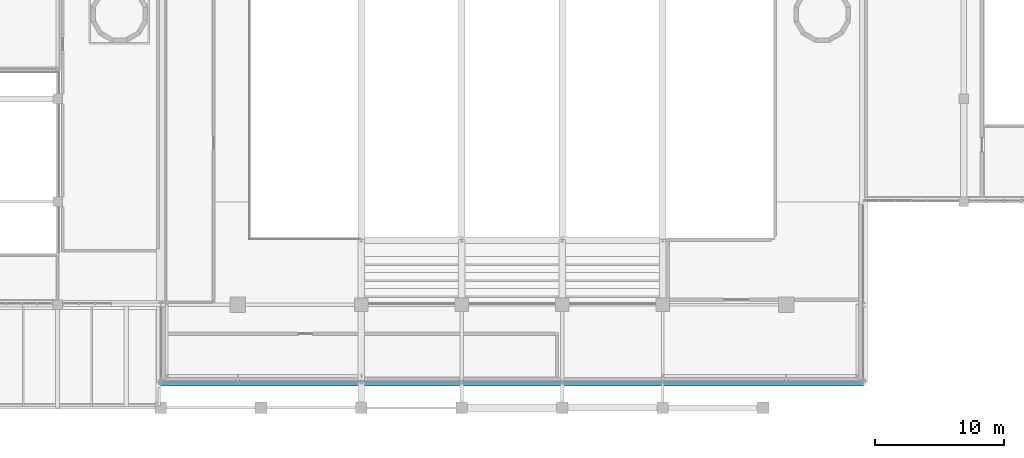
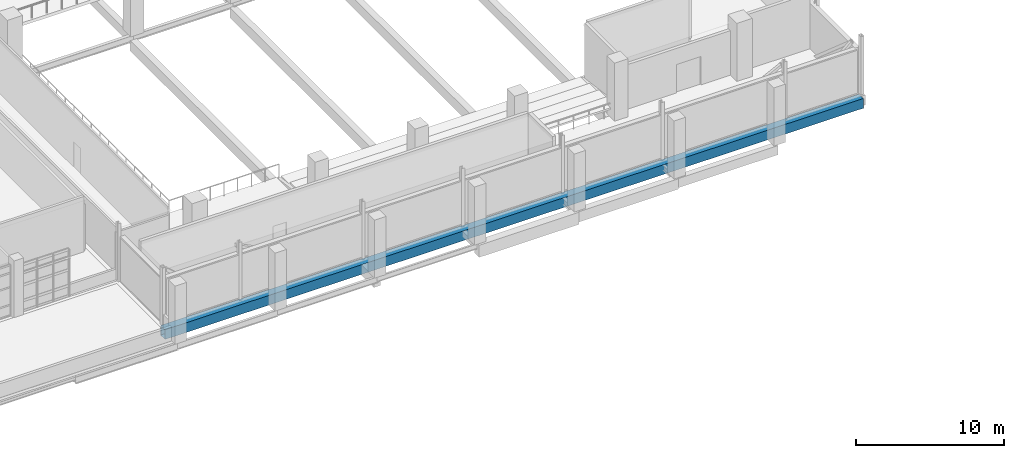
# One storey, part 36 of 102: 1 beam.
"""IFC4 building model written with IfcOpenShell, lengths in metres."""

from ifc_helpers import new_model, si_unit, derived_unit, direction, frame, origin, origin_2d, place, context, subcontext, project, spatial, hollow_rectangle, extrude, material, material_profile, profile_set, type_object, element, save


model = new_model("IFC4")

# Units and contexts
model_context = context("Model", 3, precision=1e-05, world=origin(), true_north=direction((0.0, 1.0)))
body_context = subcontext(model_context, "Body", "Model", "MODEL_VIEW")
ifc_project = project(units=[si_unit("LENGTHUNIT", "METRE"), si_unit("AREAUNIT", "SQUARE_METRE"), si_unit("VOLUMEUNIT", "CUBIC_METRE"), si_unit("PLANEANGLEUNIT", "RADIAN"), si_unit("MASSUNIT", "GRAM", prefix="KILO"), derived_unit("THERMALTRANSMITTANCEUNIT", [(si_unit("POWERUNIT", "WATT"), 1), (si_unit("LENGTHUNIT", "METRE"), -2), (si_unit("THERMODYNAMICTEMPERATUREUNIT", "KELVIN"), -1)])], contexts=[model_context])

# Site, building, storey
site_placement = place(None, origin())
site = spatial("IfcSite", under=ifc_project, at=site_placement, CompositionType="ELEMENT")
building_placement = place(site_placement, origin())
building = spatial("IfcBuilding", under=site, at=building_placement, Name="Nallur Shell Playhouse", CompositionType="ELEMENT")
storey_placement = place(building_placement, frame((0.0, 0.0, 15.0)))
storey = spatial("IfcBuildingStorey", under=building, at=storey_placement, Name="L04", CompositionType="ELEMENT", Elevation=15.0)

# Beam
ifc_material = material(Name="Steel E350", Category="steel")
ifc_material_profile = material_profile(ifc_material, hollow_rectangle(XDim=0.60009765625, YDim=0.800048828125, WallThickness=0.02490234375, at=origin_2d()), Name="BOX 600x800x25")
ifc_profile_set = profile_set([ifc_material_profile], Name="Steel E350")
beam_type = type_object("IfcBeamType", Name="BM-TT-CHORD", PredefinedType="BEAM", material=ifc_profile_set)
beam_placement = place(storey_placement, frame((64.0, 10.0, -0.659912109375), z_axis=(1.0, 0.0, 0.0), x_axis=(0.0, 1.0, 0.0)))
element("IfcBeam", 1, at=beam_placement, inside=storey, type_object=beam_type, Name="Gold box perimeter chord L04-S1", PredefinedType="BEAM", context=body_context, shape_type="SweptSolid", body=[
    extrude(hollow_rectangle(XDim=0.60009765625, YDim=0.800048828125, WallThickness=0.02490234375, at=origin_2d()), origin(), (0.0, 0.0, 1.0), 54.60009765625),
])

save(model, "model.ifc")
